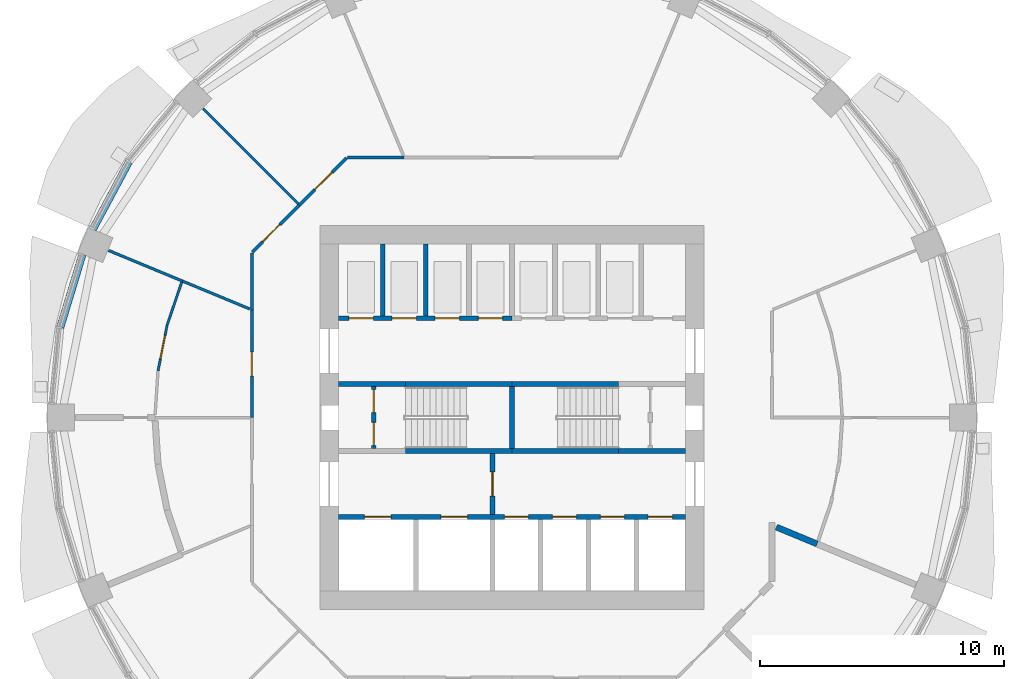
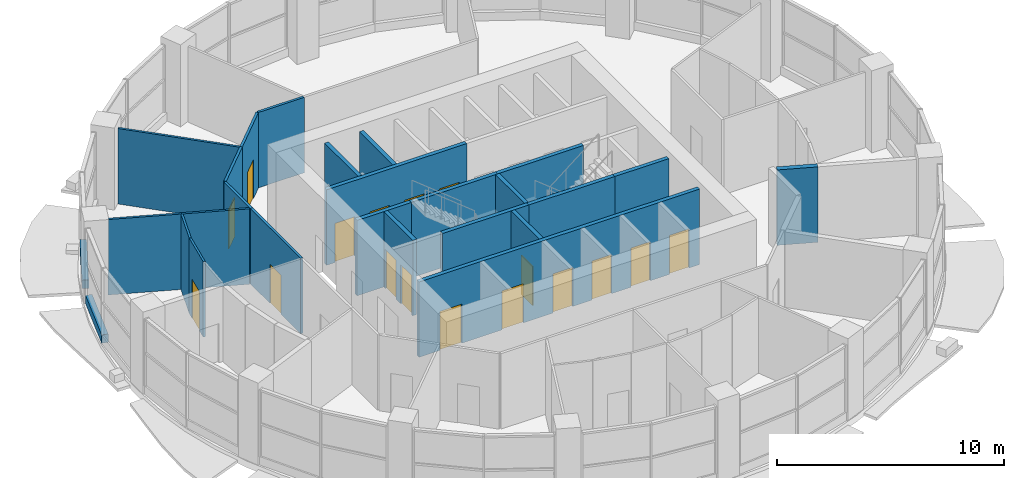
# One storey, part 7 of 13: 26 walls, 17 doors, 17 openings.
"""IFC4 building model written with IfcOpenShell, lengths in metres."""

from ifc_helpers import new_model, si_unit, direction, frame, frame_2d, origin, place, context, subcontext, project, spatial, rectangle, extrude, material, layer, layer_set, type_object, element, fill, save


model = new_model("IFC4")

# Units and contexts
model_context = context("Model", 3, precision=1e-05, world=origin(), true_north=direction((0.0, 1.0)))
body_context = subcontext(model_context, "Body", "Model", "MODEL_VIEW")
ifc_project = project(units=[si_unit("LENGTHUNIT", "METRE"), si_unit("AREAUNIT", "SQUARE_METRE"), si_unit("VOLUMEUNIT", "CUBIC_METRE"), si_unit("PLANEANGLEUNIT", "RADIAN"), si_unit("MASSUNIT", "GRAM", prefix="KILO")], contexts=[model_context])

# Site, building, storey
site_placement = place(None, origin())
site = spatial("IfcSite", under=ifc_project, at=site_placement, CompositionType="ELEMENT")
building_placement = place(site_placement, origin())
building = spatial("IfcBuilding", under=site, at=building_placement, Name="Polderwave Tower", CompositionType="ELEMENT")
storey_placement = place(building_placement, frame((0.0, 0.0, 116.550048828125)))
storey = spatial("IfcBuildingStorey", under=building, at=storey_placement, Name="L30", CompositionType="ELEMENT", Elevation=116.550048828125)

# Walls
ifc_material_1 = material(Name="Concrete C50/60 (board-marked)", Category="concrete")
ifc_layer_1 = layer(ifc_material_1, 0.300048828125)
ifc_layer_set_1 = layer_set([ifc_layer_1], Name="Concrete spandrel upstand C50/60")
wall_type_1 = type_object("IfcWallType", Name="Concrete spandrel upstand C50/60", PredefinedType="SOLIDWALL", material=ifc_layer_set_1)
wall_1_placement = place(storey_placement, frame((-15.72119140625, 10.48681640625, 0.0), z_axis=(0.0, 0.0, 1.0), x_axis=(-0.471464266524, -0.881885165648, 0.0)))
element("IfcWall", 1, at=wall_1_placement, inside=storey, type_object=wall_type_1, Name="Spandrel L30 7b", PredefinedType="SOLIDWALL", context=body_context, shape_type="SweptSolid", body=[
    extrude(rectangle(XDim=3.12353515625, YDim=0.300048828125, at=frame_2d((1.561767578125, 0.0))), origin(), (0.0, 0.0, 1.0), 0.449951171875),
])
wall_2_placement = place(storey_placement, frame((-17.62548828125, 6.690673828125, 0.0), z_axis=(0.0, 0.0, 1.0), x_axis=(-0.290415156078, -0.956900745699, 0.0)))
element("IfcWall", 2, at=wall_2_placement, inside=storey, type_object=wall_type_1, Name="Spandrel L30 8a", PredefinedType="SOLIDWALL", context=body_context, shape_type="SweptSolid", body=[
    extrude(rectangle(XDim=3.123779296875, YDim=0.300048828125, at=frame_2d((1.56201171875, 0.0))), origin(), (0.0, 0.0, 1.0), 0.449951171875),
])

# Wall, opening, door
ifc_material_2 = material(Name="Gypsum board partition")
ifc_layer_2 = layer(ifc_material_2, 0.199951171875)
ifc_layer_set_2 = layer_set([ifc_layer_2], Name="Core room partition 200")
wall_type_2 = type_object("IfcWallType", Name="Core room partition 200", PredefinedType="PARTITIONING", material=ifc_layer_set_2)
wall_3_placement = place(storey_placement, frame((-0.800048828125, -3.97412109375, 0.0), z_axis=(0.0, 0.0, 1.0), x_axis=(0.0, 1.0, 0.0)))
wall_3 = element("IfcWall", 3, at=wall_3_placement, inside=storey, type_object=wall_type_2, Name="L30 fire-fighting lobby wall", PredefinedType="PARTITIONING", context=body_context, shape_type="SweptSolid", body=[
    extrude(rectangle(XDim=2.4990234375, YDim=0.199951171875, at=frame_2d((1.24951171875, 0.0))), origin(), (0.0, 0.0, 1.0), 4.050048828125),
])
opening_1_placement = place(wall_3_placement, frame((0.74951171875, 0.0, 0.0)))
opening_1 = element("IfcOpeningElement", 4, at=opening_1_placement, cuts=wall_3, Name="Opening L30-D18", PredefinedType="OPENING", context=body_context, shape_type="SweptSolid", body=[
    extrude(rectangle(XDim=1.0, YDim=2.10009765625, at=frame_2d((0.5, 1.050048828125))), frame((0.0, 0.10986328125, 0.0), z_axis=(0.0, -1.0, 0.0), x_axis=(1.0, 0.0, 0.0)), (0.0, 0.0, 1.0), 0.219970703125),
])
ifc_material_3 = material(Name="Steel fire door", Category="steel")
door_type_1 = type_object("IfcDoorType", Name="Lobby fire door 1000", OperationType="NOTDEFINED", PredefinedType="DOOR", material=ifc_material_3)
door_1_placement = place(opening_1_placement, frame((1.0, 0.0, 0.0), z_axis=(0.0, 0.0, 1.0), x_axis=(-1.0, 0.0, 0.0)))
door_1 = element("IfcDoor", 5, at=door_1_placement, inside=storey, type_object=door_type_1, Name="Fire-fighting lobby door", OperationType="SINGLE_SWING_LEFT", OverallHeight=2.10009765625, OverallWidth=1.0, PredefinedType="DOOR", context=body_context, shape_type="SweptSolid", body=[
    extrude(rectangle(XDim=1.0, YDim=2.10009765625, at=frame_2d((0.5, 1.050048828125))), frame((0.0, 0.02490234375, 0.0), z_axis=(0.0, -1.0, 0.0), x_axis=(1.0, 0.0, 0.0)), (0.0, 0.0, 1.0), 0.050048828125),
])
fill(opening_1, door_1)

# Wall, openings, doors
wall_4_placement = place(storey_placement, frame((-5.674072265625, -1.27490234375, 0.0), z_axis=(0.0, 0.0, 1.0), x_axis=(0.0, 1.0, 0.0)))
wall_4 = element("IfcWall", 6, at=wall_4_placement, inside=storey, type_object=wall_type_2, Name="L30 smoke lobby wall A", PredefinedType="PARTITIONING", context=body_context, shape_type="SweptSolid", body=[
    extrude(rectangle(XDim=2.5498046875, YDim=0.199951171875, at=frame_2d((1.27490234375, 0.0))), origin(), (0.0, 0.0, 1.0), 4.050048828125),
])
opening_2_placement = place(wall_4_placement, frame((0.125, 0.0, 0.0)))
opening_2 = element("IfcOpeningElement", 7, at=opening_2_placement, cuts=wall_4, Name="Opening L30-D14", PredefinedType="OPENING", context=body_context, shape_type="SweptSolid", body=[
    extrude(rectangle(XDim=0.949951171875, YDim=2.10009765625, at=frame_2d((0.47509765625, 1.050048828125))), frame((0.0, 0.10986328125, 0.0), z_axis=(0.0, -1.0, 0.0), x_axis=(1.0, 0.0, 0.0)), (0.0, 0.0, 1.0), 0.219970703125),
])
opening_3_placement = place(wall_4_placement, frame((1.47509765625, 0.0, 0.0)))
opening_3 = element("IfcOpeningElement", 8, at=opening_3_placement, cuts=wall_4, Name="Opening L30-D15", PredefinedType="OPENING", context=body_context, shape_type="SweptSolid", body=[
    extrude(rectangle(XDim=0.949951171875, YDim=2.10009765625, at=frame_2d((0.47509765625, 1.050048828125))), frame((0.0, 0.10986328125, 0.0), z_axis=(0.0, -1.0, 0.0), x_axis=(1.0, 0.0, 0.0)), (0.0, 0.0, 1.0), 0.219970703125),
])
door_type_2 = type_object("IfcDoorType", Name="Smoke lobby door 950", OperationType="NOTDEFINED", PredefinedType="DOOR", material=ifc_material_3)
door_2_placement = place(opening_2_placement, origin())
door_2 = element("IfcDoor", 9, at=door_2_placement, inside=storey, type_object=door_type_2, Name="Stair A smoke lobby inner door", OperationType="SINGLE_SWING_LEFT", OverallHeight=2.10009765625, OverallWidth=0.949951171875, PredefinedType="DOOR", context=body_context, shape_type="SweptSolid", body=[
    extrude(rectangle(XDim=0.949951171875, YDim=2.10009765625, at=frame_2d((0.47509765625, 1.050048828125))), frame((0.0, 0.02490234375, 0.0), z_axis=(0.0, -1.0, 0.0), x_axis=(1.0, 0.0, 0.0)), (0.0, 0.0, 1.0), 0.050048828125),
])
fill(opening_2, door_2)
door_3_placement = place(opening_3_placement, origin())
door_3 = element("IfcDoor", 10, at=door_3_placement, inside=storey, type_object=door_type_2, Name="Stair A smoke lobby inner door", OperationType="SINGLE_SWING_RIGHT", OverallHeight=2.10009765625, OverallWidth=0.949951171875, PredefinedType="DOOR", context=body_context, shape_type="SweptSolid", body=[
    extrude(rectangle(XDim=0.949951171875, YDim=2.10009765625, at=frame_2d((0.47509765625, 1.050048828125))), frame((0.0, 0.02490234375, 0.0), z_axis=(0.0, -1.0, 0.0), x_axis=(1.0, 0.0, 0.0)), (0.0, 0.0, 1.0), 0.050048828125),
])
fill(opening_3, door_3)

ifc_material_4 = material(Name="Concrete C50/60", Category="concrete")
ifc_layer_3 = layer(ifc_material_4, 0.199951171875)
ifc_layer_set_3 = layer_set([ifc_layer_3], Name="Core web wall 200")
wall_type_3 = type_object("IfcWallType", Name="Core web wall 200", PredefinedType="SHEAR", material=ifc_layer_set_3)
wall_5_placement = place(storey_placement, frame((-7.1240234375, -4.073974609375, 0.0), z_axis=(0.0, 0.0, 1.0), x_axis=(1.0, 0.0, 0.0)))
wall_5 = element("IfcWall", 11, at=wall_5_placement, inside=storey, type_object=wall_type_3, Name="L30 south front wall", PredefinedType="SHEAR", context=body_context, shape_type="SweptSolid", body=[
    extrude(rectangle(XDim=14.248046875, YDim=0.199951171875, at=frame_2d((7.1240234375, 0.0))), origin(), (0.0, 0.0, 1.0), 4.050048828125),
])
opening_4_placement = place(wall_5_placement, frame((1.068603515625, 0.0, 0.0)))
opening_4 = element("IfcOpeningElement", 12, at=opening_4_placement, cuts=wall_5, Name="Opening L30-D01", PredefinedType="OPENING", context=body_context, shape_type="SweptSolid", body=[
    extrude(rectangle(XDim=1.10009765625, YDim=2.10009765625, at=frame_2d((0.550048828125, 1.050048828125))), frame((0.0, 0.10986328125, 0.0), z_axis=(0.0, -1.0, 0.0), x_axis=(1.0, 0.0, 0.0)), (0.0, 0.0, 1.0), 0.219970703125),
])
opening_5_placement = place(wall_5_placement, frame((4.20556640625, 0.0, 0.0)))
opening_5 = element("IfcOpeningElement", 13, at=opening_5_placement, cuts=wall_5, Name="Opening L30-D02", PredefinedType="OPENING", context=body_context, shape_type="SweptSolid", body=[
    extrude(rectangle(XDim=1.10009765625, YDim=2.10009765625, at=frame_2d((0.550048828125, 1.050048828125))), frame((0.0, 0.10986328125, 0.0), z_axis=(0.0, -1.0, 0.0), x_axis=(1.0, 0.0, 0.0)), (0.0, 0.0, 1.0), 0.219970703125),
])
opening_6_placement = place(wall_5_placement, frame((6.80810546875, 0.0, 0.0)))
opening_6 = element("IfcOpeningElement", 14, at=opening_6_placement, cuts=wall_5, Name="Opening L30-D03", PredefinedType="OPENING", context=body_context, shape_type="SweptSolid", body=[
    extrude(rectangle(XDim=1.0, YDim=2.10009765625, at=frame_2d((0.5, 1.050048828125))), frame((0.0, 0.10986328125, 0.0), z_axis=(0.0, -1.0, 0.0), x_axis=(1.0, 0.0, 0.0)), (0.0, 0.0, 1.0), 0.219970703125),
])
opening_7_placement = place(wall_5_placement, frame((8.776611328125, 0.0, 0.0)))
opening_7 = element("IfcOpeningElement", 15, at=opening_7_placement, cuts=wall_5, Name="Opening L30-D04", PredefinedType="OPENING", context=body_context, shape_type="SweptSolid", body=[
    extrude(rectangle(XDim=1.0, YDim=2.10009765625, at=frame_2d((0.5, 1.050048828125))), frame((0.0, 0.10986328125, 0.0), z_axis=(0.0, -1.0, 0.0), x_axis=(1.0, 0.0, 0.0)), (0.0, 0.0, 1.0), 0.219970703125),
])
opening_8_placement = place(wall_5_placement, frame((10.7451171875, 0.0, 0.0)))
opening_8 = element("IfcOpeningElement", 16, at=opening_8_placement, cuts=wall_5, Name="Opening L30-D05", PredefinedType="OPENING", context=body_context, shape_type="SweptSolid", body=[
    extrude(rectangle(XDim=1.0, YDim=2.10009765625, at=frame_2d((0.5, 1.050048828125))), frame((0.0, 0.10986328125, 0.0), z_axis=(0.0, -1.0, 0.0), x_axis=(1.0, 0.0, 0.0)), (0.0, 0.0, 1.0), 0.219970703125),
])
opening_9_placement = place(wall_5_placement, frame((12.7138671875, 0.0, 0.0)))
opening_9 = element("IfcOpeningElement", 17, at=opening_9_placement, cuts=wall_5, Name="Opening L30-D06", PredefinedType="OPENING", context=body_context, shape_type="SweptSolid", body=[
    extrude(rectangle(XDim=1.0, YDim=2.10009765625, at=frame_2d((0.5, 1.050048828125))), frame((0.0, 0.10986328125, 0.0), z_axis=(0.0, -1.0, 0.0), x_axis=(1.0, 0.0, 0.0)), (0.0, 0.0, 1.0), 0.219970703125),
])
ifc_material_5 = material(Name="Stainless steel", Category="steel")
door_type_3 = type_object("IfcDoorType", Name="Fire-fighting lift landing door 1100", OperationType="DOUBLE_DOOR_SLIDING", PredefinedType="DOOR", material=ifc_material_5)
door_4_placement = place(opening_4_placement, origin())
door_4 = element("IfcDoor", 18, at=door_4_placement, inside=storey, type_object=door_type_3, Name="Fire-fighting lift FF1 landing door", OperationType="DOUBLE_DOOR_SLIDING", OverallHeight=2.10009765625, OverallWidth=1.10009765625, PredefinedType="DOOR", context=body_context, shape_type="SweptSolid", body=[
    extrude(rectangle(XDim=1.10009765625, YDim=2.10009765625, at=frame_2d((0.550048828125, 1.050048828125))), frame((0.0, 0.02490234375, 0.0), z_axis=(0.0, -1.0, 0.0), x_axis=(1.0, 0.0, 0.0)), (0.0, 0.0, 1.0), 0.050048828125),
])
fill(opening_4, door_4)
door_5_placement = place(opening_5_placement, origin())
door_5 = element("IfcDoor", 19, at=door_5_placement, inside=storey, type_object=door_type_3, Name="Fire-fighting lift FF2 landing door", OperationType="DOUBLE_DOOR_SLIDING", OverallHeight=2.10009765625, OverallWidth=1.10009765625, PredefinedType="DOOR", context=body_context, shape_type="SweptSolid", body=[
    extrude(rectangle(XDim=1.10009765625, YDim=2.10009765625, at=frame_2d((0.550048828125, 1.050048828125))), frame((0.0, 0.02490234375, 0.0), z_axis=(0.0, -1.0, 0.0), x_axis=(1.0, 0.0, 0.0)), (0.0, 0.0, 1.0), 0.050048828125),
])
fill(opening_5, door_5)
door_type_4 = type_object("IfcDoorType", Name="Lift landing door 1000", OperationType="DOUBLE_DOOR_SLIDING", PredefinedType="DOOR", material=ifc_material_5)
door_6_placement = place(opening_6_placement, origin())
door_6 = element("IfcDoor", 20, at=door_6_placement, inside=storey, type_object=door_type_4, Name="Lift LL1 landing door", OperationType="DOUBLE_DOOR_SLIDING", OverallHeight=2.10009765625, OverallWidth=1.0, PredefinedType="DOOR", context=body_context, shape_type="SweptSolid", body=[
    extrude(rectangle(XDim=1.0, YDim=2.10009765625, at=frame_2d((0.5, 1.050048828125))), frame((0.0, 0.02490234375, 0.0), z_axis=(0.0, -1.0, 0.0), x_axis=(1.0, 0.0, 0.0)), (0.0, 0.0, 1.0), 0.050048828125),
])
fill(opening_6, door_6)
door_7_placement = place(opening_7_placement, origin())
door_7 = element("IfcDoor", 21, at=door_7_placement, inside=storey, type_object=door_type_4, Name="Lift LL2 landing door", OperationType="DOUBLE_DOOR_SLIDING", OverallHeight=2.10009765625, OverallWidth=1.0, PredefinedType="DOOR", context=body_context, shape_type="SweptSolid", body=[
    extrude(rectangle(XDim=1.0, YDim=2.10009765625, at=frame_2d((0.5, 1.050048828125))), frame((0.0, 0.02490234375, 0.0), z_axis=(0.0, -1.0, 0.0), x_axis=(1.0, 0.0, 0.0)), (0.0, 0.0, 1.0), 0.050048828125),
])
fill(opening_7, door_7)
door_8_placement = place(opening_8_placement, origin())
door_8 = element("IfcDoor", 22, at=door_8_placement, inside=storey, type_object=door_type_4, Name="Lift LL3 landing door", OperationType="DOUBLE_DOOR_SLIDING", OverallHeight=2.10009765625, OverallWidth=1.0, PredefinedType="DOOR", context=body_context, shape_type="SweptSolid", body=[
    extrude(rectangle(XDim=1.0, YDim=2.10009765625, at=frame_2d((0.5, 1.050048828125))), frame((0.0, 0.02490234375, 0.0), z_axis=(0.0, -1.0, 0.0), x_axis=(1.0, 0.0, 0.0)), (0.0, 0.0, 1.0), 0.050048828125),
])
fill(opening_8, door_8)
door_9_placement = place(opening_9_placement, origin())
door_9 = element("IfcDoor", 23, at=door_9_placement, inside=storey, type_object=door_type_4, Name="Lift LL4 landing door", OperationType="DOUBLE_DOOR_SLIDING", OverallHeight=2.10009765625, OverallWidth=1.0, PredefinedType="DOOR", context=body_context, shape_type="SweptSolid", body=[
    extrude(rectangle(XDim=1.0, YDim=2.10009765625, at=frame_2d((0.5, 1.050048828125))), frame((0.0, 0.02490234375, 0.0), z_axis=(0.0, -1.0, 0.0), x_axis=(1.0, 0.0, 0.0)), (0.0, 0.0, 1.0), 0.050048828125),
])
fill(opening_9, door_9)

wall_6_placement = place(storey_placement, frame((-7.1240234375, 4.073974609375, 0.0), z_axis=(0.0, 0.0, 1.0), x_axis=(1.0, 0.0, 0.0)))
wall_6 = element("IfcWall", 24, at=wall_6_placement, inside=storey, type_object=wall_type_3, Name="L30 north front wall 1", PredefinedType="SHEAR", context=body_context, shape_type="SweptSolid", body=[
    extrude(rectangle(XDim=7.1240234375, YDim=0.199951171875, at=frame_2d((3.56201171875, 0.0))), origin(), (0.0, 0.0, 1.0), 4.050048828125),
])
opening_10_placement = place(wall_6_placement, frame((0.43408203125, 0.0, 0.0)))
opening_10 = element("IfcOpeningElement", 25, at=opening_10_placement, cuts=wall_6, Name="Opening L30-D07", PredefinedType="OPENING", context=body_context, shape_type="SweptSolid", body=[
    extrude(rectangle(XDim=1.0, YDim=2.10009765625, at=frame_2d((0.5, 1.050048828125))), frame((0.0, 0.10986328125, 0.0), z_axis=(0.0, -1.0, 0.0), x_axis=(1.0, 0.0, 0.0)), (0.0, 0.0, 1.0), 0.219970703125),
])
opening_11_placement = place(wall_6_placement, frame((2.20263671875, 0.0, 0.0)))
opening_11 = element("IfcOpeningElement", 26, at=opening_11_placement, cuts=wall_6, Name="Opening L30-D08", PredefinedType="OPENING", context=body_context, shape_type="SweptSolid", body=[
    extrude(rectangle(XDim=1.0, YDim=2.10009765625, at=frame_2d((0.5, 1.050048828125))), frame((0.0, 0.10986328125, 0.0), z_axis=(0.0, -1.0, 0.0), x_axis=(1.0, 0.0, 0.0)), (0.0, 0.0, 1.0), 0.219970703125),
])
opening_12_placement = place(wall_6_placement, frame((3.97119140625, 0.0, 0.0)))
opening_12 = element("IfcOpeningElement", 27, at=opening_12_placement, cuts=wall_6, Name="Opening L30-D09", PredefinedType="OPENING", context=body_context, shape_type="SweptSolid", body=[
    extrude(rectangle(XDim=1.0, YDim=2.10009765625, at=frame_2d((0.5, 1.050048828125))), frame((0.0, 0.10986328125, 0.0), z_axis=(0.0, -1.0, 0.0), x_axis=(1.0, 0.0, 0.0)), (0.0, 0.0, 1.0), 0.219970703125),
])
opening_13_placement = place(wall_6_placement, frame((5.73974609375, 0.0, 0.0)))
opening_13 = element("IfcOpeningElement", 28, at=opening_13_placement, cuts=wall_6, Name="Opening L30-D10", PredefinedType="OPENING", context=body_context, shape_type="SweptSolid", body=[
    extrude(rectangle(XDim=1.0, YDim=2.10009765625, at=frame_2d((0.5, 1.050048828125))), frame((0.0, 0.10986328125, 0.0), z_axis=(0.0, -1.0, 0.0), x_axis=(1.0, 0.0, 0.0)), (0.0, 0.0, 1.0), 0.219970703125),
])
door_10_placement = place(opening_10_placement, frame((1.0, 0.0, 0.0), z_axis=(0.0, 0.0, 1.0), x_axis=(-1.0, 0.0, 0.0)))
door_10 = element("IfcDoor", 29, at=door_10_placement, inside=storey, type_object=door_type_4, Name="Lift HL1 landing door", OperationType="DOUBLE_DOOR_SLIDING", OverallHeight=2.10009765625, OverallWidth=1.0, PredefinedType="DOOR", context=body_context, shape_type="SweptSolid", body=[
    extrude(rectangle(XDim=1.0, YDim=2.10009765625, at=frame_2d((0.5, 1.050048828125))), frame((0.0, 0.02490234375, 0.0), z_axis=(0.0, -1.0, 0.0), x_axis=(1.0, 0.0, 0.0)), (0.0, 0.0, 1.0), 0.050048828125),
])
fill(opening_10, door_10)
door_11_placement = place(opening_11_placement, frame((1.0, 0.0, 0.0), z_axis=(0.0, 0.0, 1.0), x_axis=(-1.0, 0.0, 0.0)))
door_11 = element("IfcDoor", 30, at=door_11_placement, inside=storey, type_object=door_type_4, Name="Lift HL2 landing door", OperationType="DOUBLE_DOOR_SLIDING", OverallHeight=2.10009765625, OverallWidth=1.0, PredefinedType="DOOR", context=body_context, shape_type="SweptSolid", body=[
    extrude(rectangle(XDim=1.0, YDim=2.10009765625, at=frame_2d((0.5, 1.050048828125))), frame((0.0, 0.02490234375, 0.0), z_axis=(0.0, -1.0, 0.0), x_axis=(1.0, 0.0, 0.0)), (0.0, 0.0, 1.0), 0.050048828125),
])
fill(opening_11, door_11)
door_12_placement = place(opening_12_placement, frame((1.0, 0.0, 0.0), z_axis=(0.0, 0.0, 1.0), x_axis=(-1.0, 0.0, 0.0)))
door_12 = element("IfcDoor", 31, at=door_12_placement, inside=storey, type_object=door_type_4, Name="Lift HL3 landing door", OperationType="DOUBLE_DOOR_SLIDING", OverallHeight=2.10009765625, OverallWidth=1.0, PredefinedType="DOOR", context=body_context, shape_type="SweptSolid", body=[
    extrude(rectangle(XDim=1.0, YDim=2.10009765625, at=frame_2d((0.5, 1.050048828125))), frame((0.0, 0.02490234375, 0.0), z_axis=(0.0, -1.0, 0.0), x_axis=(1.0, 0.0, 0.0)), (0.0, 0.0, 1.0), 0.050048828125),
])
fill(opening_12, door_12)
door_13_placement = place(opening_13_placement, frame((1.0, 0.0, 0.0), z_axis=(0.0, 0.0, 1.0), x_axis=(-1.0, 0.0, 0.0)))
door_13 = element("IfcDoor", 32, at=door_13_placement, inside=storey, type_object=door_type_4, Name="Lift HL4 landing door", OperationType="DOUBLE_DOOR_SLIDING", OverallHeight=2.10009765625, OverallWidth=1.0, PredefinedType="DOOR", context=body_context, shape_type="SweptSolid", body=[
    extrude(rectangle(XDim=1.0, YDim=2.10009765625, at=frame_2d((0.5, 1.050048828125))), frame((0.0, 0.02490234375, 0.0), z_axis=(0.0, -1.0, 0.0), x_axis=(1.0, 0.0, 0.0)), (0.0, 0.0, 1.0), 0.050048828125),
])
fill(opening_13, door_13)

# Walls
for number, where, z_axis, x_axis, name in (
    (33, (-4.3740234375, -1.375, 0.0), (0.0, 0.0, 1.0), (1.0, 0.0, 0.0), "L30 south stair wall 2"),
    (34, (0.0, -1.375, 0.0), (0.0, 0.0, 1.0), (1.0, 0.0, 0.0), "L30 south stair wall 3"),
):
    element("IfcWall", number, at=place(storey_placement, frame(where, z_axis=z_axis, x_axis=x_axis)), inside=storey, type_object=wall_type_3, Name=name, PredefinedType="SHEAR", context=body_context, shape_type="SweptSolid", body=[
        extrude(rectangle(XDim=4.3740234375, YDim=0.199951171875, at=frame_2d((2.18701171875, 0.0))), origin(), (0.0, 0.0, 1.0), 4.050048828125),
    ])
for number, where, z_axis, x_axis, name in (
    (35, (4.3740234375, -1.375, 0.0), (0.0, 0.0, 1.0), (1.0, 0.0, 0.0), "L30 south stair wall 4"),
    (36, (-7.1240234375, 1.375, 0.0), (0.0, 0.0, 1.0), (1.0, 0.0, 0.0), "L30 north stair wall 1"),
):
    element("IfcWall", number, at=place(storey_placement, frame(where, z_axis=z_axis, x_axis=x_axis)), inside=storey, type_object=wall_type_3, Name=name, PredefinedType="SHEAR", context=body_context, shape_type="SweptSolid", body=[
        extrude(rectangle(XDim=2.75, YDim=0.199951171875, at=frame_2d((1.375, 0.0))), origin(), (0.0, 0.0, 1.0), 4.050048828125),
    ])
for number, where, z_axis, x_axis, name in (
    (37, (-4.3740234375, 1.375, 0.0), (0.0, 0.0, 1.0), (1.0, 0.0, 0.0), "L30 north stair wall 2"),
    (38, (0.0, 1.375, 0.0), (0.0, 0.0, 1.0), (1.0, 0.0, 0.0), "L30 north stair wall 3"),
):
    element("IfcWall", number, at=place(storey_placement, frame(where, z_axis=z_axis, x_axis=x_axis)), inside=storey, type_object=wall_type_3, Name=name, PredefinedType="SHEAR", context=body_context, shape_type="SweptSolid", body=[
        extrude(rectangle(XDim=4.3740234375, YDim=0.199951171875, at=frame_2d((2.18701171875, 0.0))), origin(), (0.0, 0.0, 1.0), 4.050048828125),
    ])
wall_7_placement = place(storey_placement, frame((0.0, -1.27490234375, 0.0), z_axis=(0.0, 0.0, 1.0), x_axis=(0.0, 1.0, 0.0)))
element("IfcWall", 39, at=wall_7_placement, inside=storey, type_object=wall_type_3, Name="L30 wall between the stairs", PredefinedType="SHEAR", context=body_context, shape_type="SweptSolid", body=[
    extrude(rectangle(XDim=2.5498046875, YDim=0.199951171875, at=frame_2d((1.27490234375, 0.0))), origin(), (0.0, 0.0, 1.0), 4.050048828125),
])

# Wall, opening, door
ifc_material_6 = material(Name="Fire-resisting board on steel studs", Category="steel")
ifc_layer_4 = layer(ifc_material_6, 0.125)
ifc_layer_set_4 = layer_set([ifc_layer_4], Name="Corridor wall 125 mm EI 60")
wall_type_4 = type_object("IfcWallType", Name="Corridor wall 125 mm EI 60", PredefinedType="PARTITIONING", material=ifc_layer_set_4)
wall_8_placement = place(storey_placement, frame((-8.722412109375, 8.722412109375, 0.0), z_axis=(0.0, 0.0, 1.0), x_axis=(0.707062130741, 0.707151428813, 0.0)))
wall_8 = element("IfcWall", 40, at=wall_8_placement, inside=storey, type_object=wall_type_4, Name="IN-L30-W005", PredefinedType="PARTITIONING", context=body_context, shape_type="SweptSolid", body=[
    extrude(rectangle(XDim=2.73388671875, YDim=0.125, at=frame_2d((1.366943359375, 0.0))), origin(), (0.0, 0.0, 1.0), 4.050048828125),
])
opening_14_placement = place(wall_8_placement, frame((0.89990234375, 0.0, 0.0)))
opening_14 = element("IfcOpeningElement", 41, at=opening_14_placement, cuts=wall_8, Name="Opening L30-D53", PredefinedType="OPENING", context=body_context, shape_type="SweptSolid", body=[
    extrude(rectangle(XDim=1.0, YDim=2.10009765625, at=frame_2d((0.5, 1.050048828125))), frame((0.0, 0.072509765625, 0.0), z_axis=(0.0, -1.0, 0.0), x_axis=(1.0, 0.0, 0.0)), (0.0, 0.0, 1.0), 0.14501953125),
])
ifc_material_7 = material(Name="Timber fire door leaf", Category="wood")
door_type_5 = type_object("IfcDoorType", Name="Fire door FD30S 1000 x 2100", OperationType="NOTDEFINED", PredefinedType="DOOR", material=ifc_material_7)
door_14_placement = place(opening_14_placement, origin())
door_14 = element("IfcDoor", 42, at=door_14_placement, inside=storey, type_object=door_type_5, Name="Door L30-D53", OperationType="SINGLE_SWING_RIGHT", OverallHeight=2.10009765625, OverallWidth=1.0, PredefinedType="DOOR", context=body_context, shape_type="SweptSolid", body=[
    extrude(rectangle(XDim=1.0, YDim=2.10009765625, at=frame_2d((0.5, 1.050048828125))), frame((0.0, 0.02490234375, 0.0), z_axis=(0.0, -1.0, 0.0), x_axis=(1.0, 0.0, 0.0)), (0.0, 0.0, 1.0), 0.050048828125),
])
fill(opening_14, door_14)

# Walls
for number, where, z_axis, x_axis, name in (
    (43, (-6.7451171875, 10.674072265625, 0.0), (0.0, 0.0, 1.0), (1.0, 0.0, 0.0), "IN-L30-W006"),
    (44, (-10.674072265625, 4.42138671875, 0.0), (0.0, 0.0, 1.0), (0.0, 1.0, 0.0), "IN-L30-W007"),
):
    element("IfcWall", number, at=place(storey_placement, frame(where, z_axis=z_axis, x_axis=x_axis)), inside=storey, type_object=wall_type_4, Name=name, PredefinedType="PARTITIONING", context=body_context, shape_type="SweptSolid", body=[
        extrude(rectangle(XDim=2.32373046875, YDim=0.125, at=frame_2d((1.161865234375, 0.0))), origin(), (0.0, 0.0, 1.0), 4.050048828125),
    ])

# Wall, opening, door
wall_9_placement = place(storey_placement, frame((-10.65576171875, 6.789306640625, 0.0), z_axis=(0.0, 0.0, 1.0), x_axis=(0.707151428813, 0.707062130741, 0.0)))
wall_9 = element("IfcWall", 45, at=wall_9_placement, inside=storey, type_object=wall_type_4, Name="IN-L30-W008", PredefinedType="PARTITIONING", context=body_context, shape_type="SweptSolid", body=[
    extrude(rectangle(XDim=2.73388671875, YDim=0.125, at=frame_2d((1.366943359375, 0.0))), origin(), (0.0, 0.0, 1.0), 4.050048828125),
])
opening_15_placement = place(wall_9_placement, frame((0.60009765625, 0.0, 0.0)))
opening_15 = element("IfcOpeningElement", 46, at=opening_15_placement, cuts=wall_9, Name="Opening L30-D54", PredefinedType="OPENING", context=body_context, shape_type="SweptSolid", body=[
    extrude(rectangle(XDim=1.0, YDim=2.10009765625, at=frame_2d((0.5, 1.050048828125))), frame((0.0, 0.072509765625, 0.0), z_axis=(0.0, -1.0, 0.0), x_axis=(1.0, 0.0, 0.0)), (0.0, 0.0, 1.0), 0.14501953125),
])
door_15_placement = place(opening_15_placement, origin())
door_15 = element("IfcDoor", 47, at=door_15_placement, inside=storey, type_object=door_type_5, Name="Door L30-D54", OperationType="SINGLE_SWING_LEFT", OverallHeight=2.10009765625, OverallWidth=1.0, PredefinedType="DOOR", context=body_context, shape_type="SweptSolid", body=[
    extrude(rectangle(XDim=1.0, YDim=2.10009765625, at=frame_2d((0.5, 1.050048828125))), frame((0.0, 0.02490234375, 0.0), z_axis=(0.0, -1.0, 0.0), x_axis=(1.0, 0.0, 0.0)), (0.0, 0.0, 1.0), 0.050048828125),
])
fill(opening_15, door_15)

wall_10_placement = place(storey_placement, frame((-10.674072265625, 0.0, 0.0), z_axis=(0.0, 0.0, 1.0), x_axis=(0.0, 1.0, 0.0)))
wall_10 = element("IfcWall", 48, at=wall_10_placement, inside=storey, type_object=wall_type_4, Name="IN-L30-W009", PredefinedType="PARTITIONING", context=body_context, shape_type="SweptSolid", body=[
    extrude(rectangle(XDim=4.42138671875, YDim=0.125, at=frame_2d((2.210693359375, 0.0))), origin(), (0.0, 0.0, 1.0), 4.050048828125),
])
opening_16_placement = place(wall_10_placement, frame((1.699951171875, 0.0, 0.0)))
opening_16 = element("IfcOpeningElement", 49, at=opening_16_placement, cuts=wall_10, Name="Opening L30-D55", PredefinedType="OPENING", context=body_context, shape_type="SweptSolid", body=[
    extrude(rectangle(XDim=1.0, YDim=2.10009765625, at=frame_2d((0.5, 1.050048828125))), frame((0.0, 0.072509765625, 0.0), z_axis=(0.0, -1.0, 0.0), x_axis=(1.0, 0.0, 0.0)), (0.0, 0.0, 1.0), 0.14501953125),
])
door_16_placement = place(opening_16_placement, origin())
door_16 = element("IfcDoor", 50, at=door_16_placement, inside=storey, type_object=door_type_5, Name="Door L30-D55", OperationType="SINGLE_SWING_LEFT", OverallHeight=2.10009765625, OverallWidth=1.0, PredefinedType="DOOR", context=body_context, shape_type="SweptSolid", body=[
    extrude(rectangle(XDim=1.0, YDim=2.10009765625, at=frame_2d((0.5, 1.050048828125))), frame((0.0, 0.02490234375, 0.0), z_axis=(0.0, -1.0, 0.0), x_axis=(1.0, 0.0, 0.0)), (0.0, 0.0, 1.0), 0.050048828125),
])
fill(opening_16, door_16)

ifc_material_8 = material(Name="Plasterboard on steel studs", Category="steel")
ifc_layer_5 = layer(ifc_material_8, 0.10009765625)
ifc_layer_set_5 = layer_set([ifc_layer_5], Name="Partition 100 mm plasterboard on steel studs")
wall_type_5 = type_object("IfcWallType", Name="Partition 100 mm plasterboard on steel studs", PredefinedType="PARTITIONING", material=ifc_layer_set_5)
wall_11_placement = place(storey_placement, frame((-14.524169921875, 1.915283203125, 0.0), z_axis=(0.0, 0.0, 1.0), x_axis=(0.195181972944, 0.980767045448, 0.0)))
wall_11 = element("IfcWall", 51, at=wall_11_placement, inside=storey, type_object=wall_type_5, Name="IN-L30-W032", PredefinedType="PARTITIONING", context=body_context, shape_type="SweptSolid", body=[
    extrude(rectangle(XDim=1.909912109375, YDim=0.10009765625, at=frame_2d((0.955078125, 0.0))), origin(), (0.0, 0.0, 1.0), 4.050048828125),
])
opening_17_placement = place(wall_11_placement, frame((0.5, 0.0, 0.0)))
opening_17 = element("IfcOpeningElement", 52, at=opening_17_placement, cuts=wall_11, Name="Opening L30-D63", PredefinedType="OPENING", context=body_context, shape_type="SweptSolid", body=[
    extrude(rectangle(XDim=1.0, YDim=2.10009765625, at=frame_2d((0.5, 1.050048828125))), frame((0.0, 0.06005859375, 0.0), z_axis=(0.0, -1.0, 0.0), x_axis=(1.0, 0.0, 0.0)), (0.0, 0.0, 1.0), 0.1201171875),
])
ifc_material_9 = material(Name="Timber veneer door leaf", Category="wood")
door_type_6 = type_object("IfcDoorType", Name="Single door 1000 x 2100", OperationType="NOTDEFINED", PredefinedType="DOOR", material=ifc_material_9)
door_17_placement = place(opening_17_placement, origin())
door_17 = element("IfcDoor", 53, at=door_17_placement, inside=storey, type_object=door_type_6, Name="Door L30-D63", OperationType="SINGLE_SWING_RIGHT", OverallHeight=2.10009765625, OverallWidth=1.0, PredefinedType="DOOR", context=body_context, shape_type="SweptSolid", body=[
    extrude(rectangle(XDim=1.0, YDim=2.10009765625, at=frame_2d((0.5, 1.050048828125))), frame((0.0, 0.02490234375, 0.0), z_axis=(0.0, -1.0, 0.0), x_axis=(1.0, 0.0, 0.0)), (0.0, 0.0, 1.0), 0.050048828125),
])
fill(opening_17, door_17)

# Walls
wall_12_placement = place(storey_placement, frame((-14.149658203125, 3.794921875, 0.0), z_axis=(0.0, 0.0, 1.0), x_axis=(0.321357482052, 0.946957955101, 0.0)))
element("IfcWall", 54, at=wall_12_placement, inside=storey, type_object=wall_type_5, Name="IN-L30-W033", PredefinedType="PARTITIONING", context=body_context, shape_type="SweptSolid", body=[
    extrude(rectangle(XDim=1.8544921875, YDim=0.10009765625, at=frame_2d((0.92724609375, 0.0))), origin(), (0.0, 0.0, 1.0), 4.050048828125),
])
ifc_material_10 = material(Name="Acoustic double plasterboard on steel studs", Category="steel")
ifc_layer_6 = layer(ifc_material_10, 0.110107421875)
ifc_layer_set_6 = layer_set([ifc_layer_6], Name="Partition 110 mm acoustic double board")
wall_type_6 = type_object("IfcWallType", Name="Partition 110 mm acoustic double board", PredefinedType="PARTITIONING", material=ifc_layer_set_6)
wall_13_placement = place(storey_placement, frame((-8.7666015625, 8.7666015625, 0.0), z_axis=(0.0, 0.0, 1.0), x_axis=(-0.707106781187, 0.707106781187, 0.0)))
element("IfcWall", 55, at=wall_13_placement, inside=storey, type_object=wall_type_6, Name="IN-L30-W028", PredefinedType="PARTITIONING", context=body_context, shape_type="SweptSolid", body=[
    extrude(rectangle(XDim=5.522216796875, YDim=0.110107421875, at=frame_2d((2.76123046875, 0.0))), origin(), (0.0, 0.0, 1.0), 4.050048828125),
])
wall_14_placement = place(storey_placement, frame((-10.757568359375, 4.455810546875, 0.0), z_axis=(0.0, 0.0, 1.0), x_axis=(-0.923882216761, 0.382676951949, 0.0)))
element("IfcWall", 56, at=wall_14_placement, inside=storey, type_object=wall_type_6, Name="IN-L30-W029", PredefinedType="PARTITIONING", context=body_context, shape_type="SweptSolid", body=[
    extrude(rectangle(XDim=3.006103515625, YDim=0.110107421875, at=frame_2d((1.5029296875, 0.0))), origin(), (0.0, 0.0, 1.0), 4.050048828125),
])
wall_15_placement = place(storey_placement, frame((-13.534912109375, 5.606201171875, 0.0), z_axis=(0.0, 0.0, 1.0), x_axis=(-0.923865769093, 0.382716658507, 0.0)))
element("IfcWall", 57, at=wall_15_placement, inside=storey, type_object=wall_type_6, Name="IN-L30-W030", PredefinedType="PARTITIONING", context=body_context, shape_type="SweptSolid", body=[
    extrude(rectangle(XDim=3.27001953125, YDim=0.110107421875, at=frame_2d((1.635009765625, 0.0))), origin(), (0.0, 0.0, 1.0), 4.050048828125),
])
ifc_material_11 = material(Name="Fire-resisting board on steel studs, mineral wool", Category="steel")
ifc_layer_7 = layer(ifc_material_11, 0.25)
ifc_layer_set_7 = layer_set([ifc_layer_7], Name="Plant room wall 250 mm EI 120")
wall_type_7 = type_object("IfcWallType", Name="Plant room wall 250 mm EI 120", PredefinedType="PARTITIONING", material=ifc_layer_set_7)
wall_16_placement = place(storey_placement, frame((10.8466796875, -4.492919921875, 0.0), z_axis=(0.0, 0.0, 1.0), x_axis=(0.923905024937, -0.382621882407, 0.0)))
element("IfcWall", 58, at=wall_16_placement, inside=storey, type_object=wall_type_7, Name="IN-L30-W055", PredefinedType="PARTITIONING", context=body_context, shape_type="SweptSolid", body=[
    extrude(rectangle(XDim=1.8095703125, YDim=0.25, at=frame_2d((0.90478515625, 0.0))), origin(), (0.0, 0.0, 1.0), 4.050048828125),
])
ifc_material_12 = material(Name="Gypsum shaft wall system")
ifc_layer_8 = layer(ifc_material_12, 0.199951171875)
ifc_layer_set_8 = layer_set([ifc_layer_8], Name="Shaft wall 200")
wall_type_8 = type_object("IfcWallType", Name="Shaft wall 200", PredefinedType="PARTITIONING", material=ifc_layer_set_8)
for number, where, z_axis, x_axis, name in (
    (59, (-5.305419921875, 4.174072265625, 0.0), (0.0, 0.0, 1.0), (0.0, 1.0, 0.0), "L30 lift shaft wall N1"),
    (60, (-3.537109375, 4.174072265625, 0.0), (0.0, 0.0, 1.0), (0.0, 1.0, 0.0), "L30 lift shaft wall N2"),
):
    element("IfcWall", number, at=place(storey_placement, frame(where, z_axis=z_axis, x_axis=x_axis)), inside=storey, type_object=wall_type_8, Name=name, PredefinedType="PARTITIONING", context=body_context, shape_type="SweptSolid", body=[
        extrude(rectangle(XDim=2.949951171875, YDim=0.199951171875, at=frame_2d((1.47509765625, 0.0))), origin(), (0.0, 0.0, 1.0), 4.050048828125),
    ])

save(model, "model.ifc")
